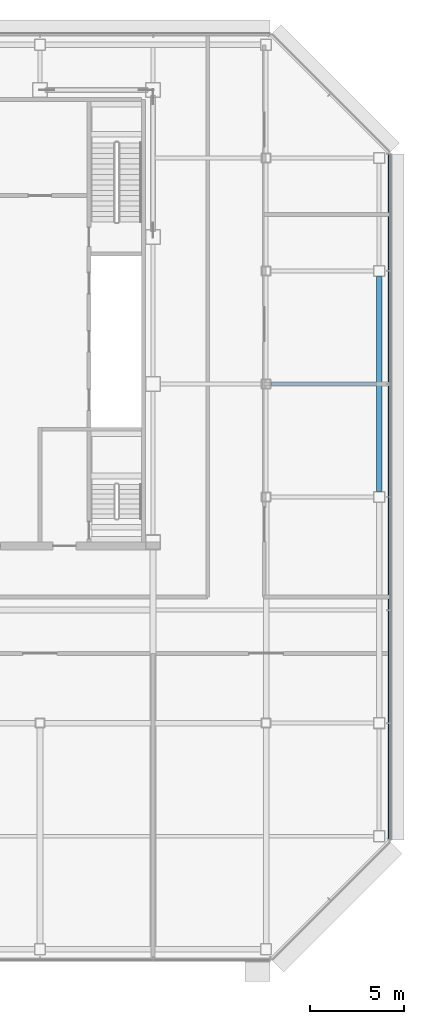
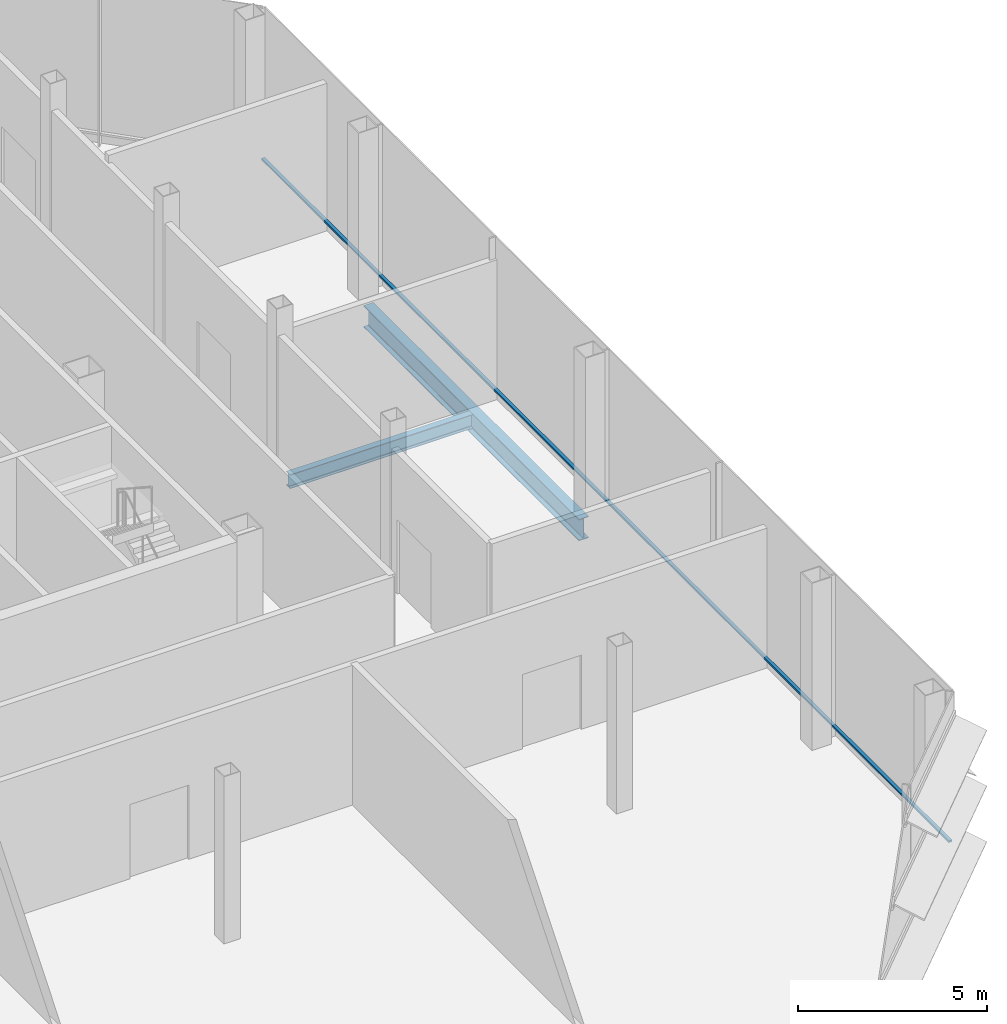
# One storey, part 16 of 26: 2 beams, 1 member, 1 element without a shape of its own.
"""IFC4 building model written with IfcOpenShell, lengths in metres."""

from ifc_helpers import new_model, si_unit, direction, frame, origin, origin_2d, place, context, subcontext, project, spatial, rectangle, i_section, extrude, material, material_profile, profile_set, type_object, element, aggregate, save


model = new_model("IFC4")

# Units and contexts
model_context = context("Model", 3, precision=1e-05, world=origin(), true_north=direction((0.0, 1.0)))
body_context = subcontext(model_context, "Body", "Model", "MODEL_VIEW")
ifc_project = project(units=[si_unit("LENGTHUNIT", "METRE"), si_unit("AREAUNIT", "SQUARE_METRE"), si_unit("VOLUMEUNIT", "CUBIC_METRE"), si_unit("PLANEANGLEUNIT", "RADIAN"), si_unit("MASSUNIT", "GRAM", prefix="KILO")], contexts=[model_context])

# Site, building, storey
site_placement = place(None, origin())
site = spatial("IfcSite", under=ifc_project, at=site_placement, CompositionType="ELEMENT")
building_placement = place(site_placement, origin())
building = spatial("IfcBuilding", under=site, at=building_placement, Name="Sorahane Residences", CompositionType="ELEMENT")
storey_placement = place(building_placement, frame((0.0, 0.0, 257.60009765625)))
storey = spatial("IfcBuildingStorey", under=building, at=storey_placement, Name="L61", CompositionType="ELEMENT", Elevation=257.60009765625)

# Curtain wall, member
ifc_material_1 = material(Name="Dark low-e glass and black anodised aluminium", Category="aluminium")
curtain_wall_type = type_object("IfcCurtainWallType", Name="Curtain wall CW-4 Sky floor frameless wall", PredefinedType="NOTDEFINED", material=ifc_material_1)
curtain_wall_placement = place(storey_placement, origin())
curtain_wall = element("IfcCurtainWall", 1, at=curtain_wall_placement, inside=storey, type_object=curtain_wall_type, Name="CW-4 curtain wall L61 E1", PredefinedType="NOTDEFINED")
ifc_material_2 = material(Name="Black anodised aluminium", Category="aluminium")
ifc_material_profile_1 = material_profile(ifc_material_2, rectangle(XDim=0.10009765625, YDim=0.06005859375, at=origin_2d()), Name="Curtain wall transom CW-4 black anodised aluminium 60x100")
ifc_profile_set_1 = profile_set([ifc_material_profile_1], Name="Black anodised aluminium")
member_type = type_object("IfcMemberType", Name="Curtain wall transom CW-4 black anodised aluminium 60x100", PredefinedType="USERDEFINED", material=ifc_profile_set_1)
member_placement = place(storey_placement, frame((54.530029296875, 5.801513671875, 0.349853515625), z_axis=(0.0, 1.0, 0.0), x_axis=(-1.0, 0.0, 0.0)))
member = element("IfcMember", 2, at=member_placement, type_object=member_type, Name="CW-4 transom L61 E1", ObjectType="TRANSOM", PredefinedType="USERDEFINED", context=body_context, shape_type="SweptSolid", body=[
    extrude(rectangle(XDim=0.10009765625, YDim=0.06005859375, at=origin_2d()), origin(), (0.0, 0.0, 1.0), 36.39697265625),
])
aggregate(curtain_wall, [member])

# Beams
ifc_material_3 = material(Name="Steel Q355B", Category="steel")
ifc_material_profile_2 = material_profile(ifc_material_3, i_section(OverallWidth=0.199951171875, OverallDepth=0.449951171875, WebThickness=0.009033203125, FlangeThickness=0.013916015625, FilletRadius=0.02001953125, at=origin_2d()), Name="HN 450x200x9x14")
ifc_profile_set_2 = profile_set([ifc_material_profile_2], Name="Steel Q355B")
beam_type_1 = type_object("IfcBeamType", Name="Steel floor beam HN 450x200x9x14 Q355B", PredefinedType="BEAM", material=ifc_profile_set_2)
beam_1_placement = place(storey_placement, frame((48.25, 30.0, -0.445068359375), z_axis=(1.0, 0.0, 0.0), x_axis=(0.0, 1.0, 0.0)))
element("IfcBeam", 3, at=beam_1_placement, inside=storey, type_object=beam_type_1, Name="Beam L61 088", PredefinedType="BEAM", context=body_context, shape_type="SweptSolid", body=[
    extrude(i_section(OverallWidth=0.199951171875, OverallDepth=0.449951171875, WebThickness=0.009033203125, FlangeThickness=0.013916015625, FilletRadius=0.02001953125, at=origin_2d()), origin(), (0.0, 0.0, 1.0), 5.60009765625),
])
ifc_material_4 = material(Name="Steel Q355B", Category="steel")
ifc_material_profile_3 = material_profile(ifc_material_4, i_section(OverallWidth=0.300048828125, OverallDepth=0.699951171875, WebThickness=0.012939453125, FlangeThickness=0.02392578125, FilletRadius=0.028076171875, at=origin_2d()), Name="HN 700x300x13x24")
ifc_profile_set_3 = profile_set([ifc_material_profile_3], Name="Steel Q355B")
beam_type_2 = type_object("IfcBeamType", Name="Steel floor beam HN 700x300x13x24 Q355B", PredefinedType="BEAM", material=ifc_profile_set_3)
beam_2_placement = place(storey_placement, frame((54.0, 24.300048828125, -0.570068359375), z_axis=(0.0, 1.0, 0.0), x_axis=(-1.0, 0.0, 0.0)))
element("IfcBeam", 4, at=beam_2_placement, inside=storey, type_object=beam_type_2, Name="Beam L61 066", PredefinedType="BEAM", context=body_context, shape_type="SweptSolid", body=[
    extrude(i_section(OverallWidth=0.300048828125, OverallDepth=0.699951171875, WebThickness=0.012939453125, FlangeThickness=0.02392578125, FilletRadius=0.028076171875, at=origin_2d()), origin(), (0.0, 0.0, 1.0), 11.39990234375),
])

save(model, "model.ifc")
